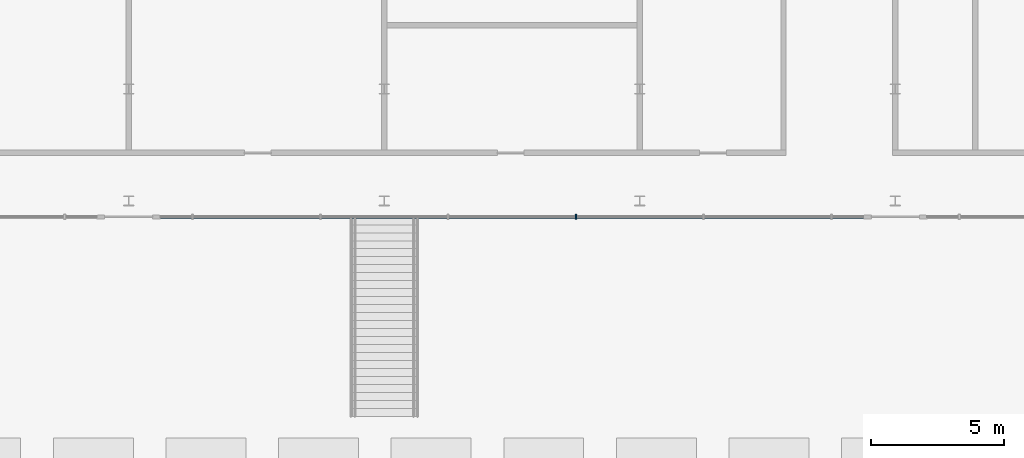
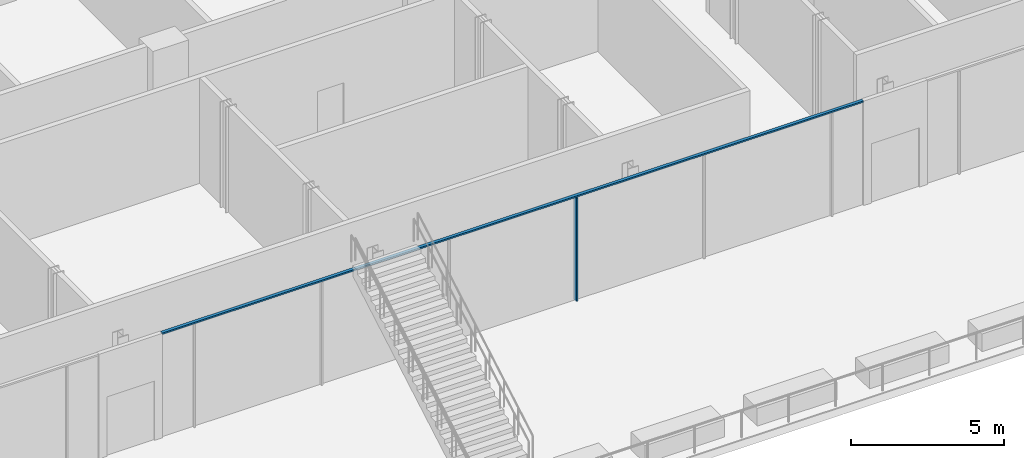
# One storey, part 7 of 38: 2 members, 1 element without a shape of its own.
"""IFC4 building model written with IfcOpenShell, lengths in metres."""

from ifc_helpers import new_model, si_unit, direction, frame, origin, origin_2d, place, context, subcontext, project, spatial, rectangle, extrude, material, layer, layer_set, material_profile, profile_set, type_object, element, aggregate, save


model = new_model("IFC4")

# Units and contexts
model_context = context("Model", 3, precision=1e-05, world=origin(), true_north=direction((0.0, 1.0)))
body_context = subcontext(model_context, "Body", "Model", "MODEL_VIEW")
ifc_project = project(units=[si_unit("LENGTHUNIT", "METRE"), si_unit("AREAUNIT", "SQUARE_METRE"), si_unit("VOLUMEUNIT", "CUBIC_METRE"), si_unit("PLANEANGLEUNIT", "RADIAN"), si_unit("MASSUNIT", "GRAM", prefix="KILO")], contexts=[model_context])

# Site, building, storey
site_placement = place(None, origin())
site = spatial("IfcSite", under=ifc_project, at=site_placement, CompositionType="ELEMENT")
building_placement = place(site_placement, origin())
building = spatial("IfcBuilding", under=site, at=building_placement, Name="Madar Terraces", CompositionType="ELEMENT")
storey_placement = place(building_placement, frame((0.0, 0.0, 15.0)))
storey = spatial("IfcBuildingStorey", under=building, at=storey_placement, Name="L03", CompositionType="ELEMENT", Elevation=15.0)

# Curtain wall, members
ifc_material_1 = material(Name="Glass, clear low-iron, with black aluminium frame", Category="aluminium")
ifc_layer = layer(ifc_material_1, 0.199951171875)
ifc_layer_set = layer_set([ifc_layer], Name="Facade curtain wall, shopfront glazing")
curtain_wall_type = type_object("IfcCurtainWallType", Name="Facade curtain wall, shopfront glazing", PredefinedType="NOTDEFINED", material=ifc_layer_set)
curtain_wall_placement = place(storey_placement, origin())
curtain_wall = element("IfcCurtainWall", 1, at=curtain_wall_placement, inside=storey, type_object=curtain_wall_type, Name="Outer skin curtain wall south bay 1", PredefinedType="NOTDEFINED")
ifc_material_2 = material(Name="Aluminium, black anodised", Category="aluminium")
ifc_material_profile_1 = material_profile(ifc_material_2, rectangle(XDim=0.199951171875, YDim=0.06005859375, at=origin_2d()), Name="Facade mullion 60x200")
ifc_profile_set_1 = profile_set([ifc_material_profile_1], Name="Aluminium, black anodised")
member_type_1 = type_object("IfcMemberType", Name="Facade mullion 60x200", PredefinedType="MULLION", material=ifc_profile_set_1)
member_1_placement = place(storey_placement, frame((21.60009765625, -14.39990234375, 0.0), z_axis=(0.0, 0.0, 1.0), x_axis=(0.0, 1.0, 0.0)))
member_1 = element("IfcMember", 2, at=member_1_placement, type_object=member_type_1, Name="Mullion 5", PredefinedType="MULLION", context=body_context, shape_type="SweptSolid", body=[
    extrude(rectangle(XDim=0.199951171875, YDim=0.06005859375, at=origin_2d()), origin(), (0.0, 0.0, 1.0), 4.139892578125),
])
ifc_material_3 = material(Name="Aluminium, black anodised", Category="aluminium")
ifc_material_profile_2 = material_profile(ifc_material_3, rectangle(XDim=0.1201171875, YDim=0.06005859375, at=origin_2d()), Name="Facade transom 60x120")
ifc_profile_set_2 = profile_set([ifc_material_profile_2], Name="Aluminium, black anodised")
member_type_2 = type_object("IfcMemberType", Name="Facade transom 60x120", PredefinedType="USERDEFINED", material=ifc_profile_set_2)
member_2_placement = place(storey_placement, frame((6.0, -14.39990234375, 4.169921875), z_axis=(1.0, 0.0, 0.0), x_axis=(0.0, 1.0, 0.0)))
member_2 = element("IfcMember", 3, at=member_2_placement, type_object=member_type_2, Name="Transom 2", ObjectType="TRANSOM", PredefinedType="USERDEFINED", context=body_context, shape_type="SweptSolid", body=[
    extrude(rectangle(XDim=0.1201171875, YDim=0.06005859375, at=origin_2d()), origin(), (0.0, 0.0, 1.0), 26.39990234375),
])
aggregate(curtain_wall, [member_1, member_2])

save(model, "model.ifc")
